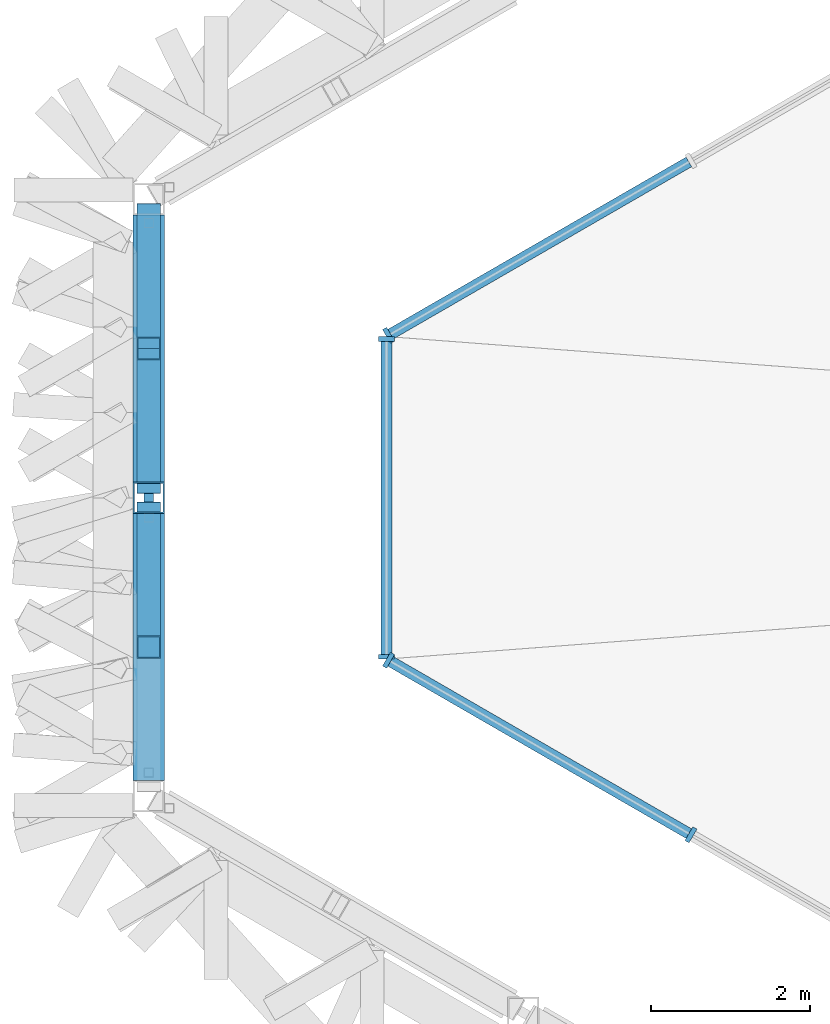
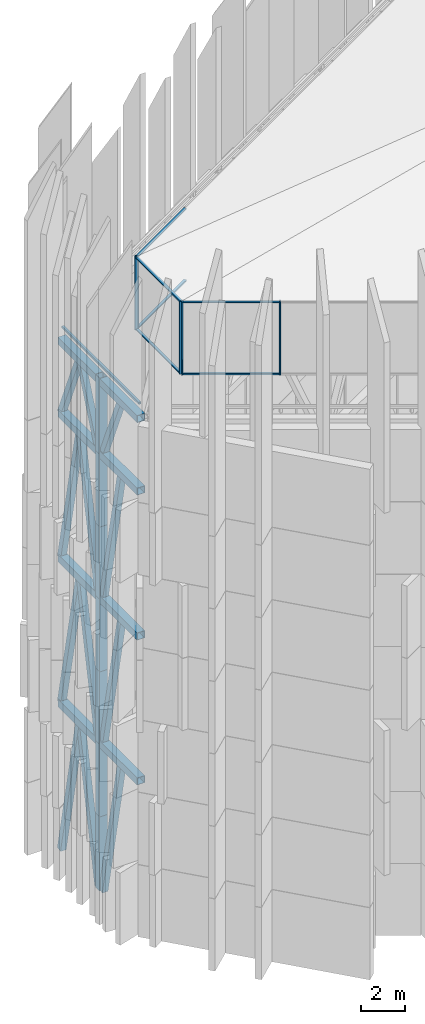
# One storey, part 4 of 45: 39 members, 3 elements without a shape of their own.
"""IFC4 building model written with IfcOpenShell, lengths in metres."""

from ifc_helpers import new_model, si_unit, direction, frame, origin, origin_2d, place, context, subcontext, project, spatial, rectangle, hollow_rectangle, extrude, material, layer, layer_set, material_profile, profile_set, type_object, element, aggregate, save


model = new_model("IFC4")

# Units and contexts
model_context = context("Model", 3, precision=1e-05, world=origin(), true_north=direction((0.0, 1.0)))
body_context = subcontext(model_context, "Body", "Model", "MODEL_VIEW")
ifc_project = project(units=[si_unit("LENGTHUNIT", "METRE"), si_unit("AREAUNIT", "SQUARE_METRE"), si_unit("VOLUMEUNIT", "CUBIC_METRE"), si_unit("PLANEANGLEUNIT", "RADIAN"), si_unit("MASSUNIT", "GRAM", prefix="KILO")], contexts=[model_context])

# Site, building, storey
site_placement = place(None, origin())
site = spatial("IfcSite", under=ifc_project, at=site_placement, CompositionType="ELEMENT")
building_placement = place(site_placement, origin())
building = spatial("IfcBuilding", under=site, at=building_placement, Name="Jabali Bay Hotel Tower and Convention Centre", CompositionType="ELEMENT")
storey_placement = place(building_placement, frame((0.0, 0.0, 322.39990234375)))
storey = spatial("IfcBuildingStorey", under=building, at=storey_placement, Name="Crown", CompositionType="ELEMENT", Elevation=322.39990234375)

# Member
ifc_material_1 = material(Name="Steel Q355B", Category="steel")
ifc_material_profile_1 = material_profile(ifc_material_1, hollow_rectangle(XDim=0.1201171875, YDim=0.1201171875, WallThickness=0.008056640625, at=origin_2d()), Name="BMU rail")
ifc_profile_set_1 = profile_set([ifc_material_profile_1], Name="Steel Q355B")
member_type_1 = type_object("IfcMemberType", Name="BMU rail", PredefinedType="USERDEFINED", material=ifc_profile_set_1)
member_1_placement = place(storey_placement, frame((45.225830078125, 83.46630859375, 28.66015625), z_axis=(0.0, -1.0, 0.0), x_axis=(1.0, 0.0, 0.0)))
element("IfcMember", 1, at=member_1_placement, inside=storey, type_object=member_type_1, Name="BMU rail 4", ObjectType="BMU RAIL", PredefinedType="USERDEFINED", context=body_context, shape_type="SweptSolid", body=[
    extrude(hollow_rectangle(XDim=0.1201171875, YDim=0.1201171875, WallThickness=0.008056640625, at=origin_2d()), origin(), (0.0, 0.0, 1.0), 6.9326171875),
])

# Curtain wall, member
ifc_material_2 = material(Name="Aluminium and glass", Category="aluminium")
ifc_layer = layer(ifc_material_2, 0.199951171875)
ifc_layer_set = layer_set([ifc_layer], Name="Aluminium and glass")
curtain_wall_type = type_object("IfcCurtainWallType", Name="CW6 curtain wall", PredefinedType="NOTDEFINED", material=ifc_layer_set)
curtain_wall_1_placement = place(storey_placement, origin())
curtain_wall_1 = element("IfcCurtainWall", 2, at=curtain_wall_1_placement, inside=storey, type_object=curtain_wall_type, Name="CW6 lantern glazing 3", PredefinedType="NOTDEFINED")
ifc_material_3 = material(Name="Aluminium", Category="aluminium")
ifc_material_profile_2 = material_profile(ifc_material_3, rectangle(XDim=0.199951171875, YDim=0.06005859375, at=origin_2d()), Name="CW6 mullion 60 x 200")
ifc_profile_set_2 = profile_set([ifc_material_profile_2], Name="Aluminium")
member_type_2 = type_object("IfcMemberType", Name="CW6 mullion 60 x 200", PredefinedType="MULLION", material=ifc_profile_set_2)
member_2_placement = place(storey_placement, frame((48.251953125, 82.04931640625, 28.35009765625), z_axis=(0.0, 0.0, 1.0), x_axis=(0.500000005124, -0.866025400826, 0.0)))
member_2 = element("IfcMember", 3, at=member_2_placement, type_object=member_type_2, Name="CW6 mullion 11", PredefinedType="MULLION", context=body_context, shape_type="SweptSolid", body=[
    extrude(rectangle(XDim=0.199951171875, YDim=0.06005859375, at=origin_2d()), origin(), (0.0, 0.0, 1.0), 4.0),
])

# Curtain wall, members
curtain_wall_2_placement = place(storey_placement, origin())
curtain_wall_2 = element("IfcCurtainWall", 4, at=curtain_wall_2_placement, inside=storey, type_object=curtain_wall_type, Name="CW6 lantern glazing 4", PredefinedType="NOTDEFINED")
member_3_placement = place(storey_placement, frame((48.225830078125, 82.004150390625, 28.35009765625), z_axis=(0.0, 0.0, 1.0), x_axis=(1.0, 0.0, 0.0)))
member_3 = element("IfcMember", 5, at=member_3_placement, type_object=member_type_2, Name="CW6 mullion 1", PredefinedType="MULLION", context=body_context, shape_type="SweptSolid", body=[
    extrude(rectangle(XDim=0.199951171875, YDim=0.06005859375, at=origin_2d()), origin(), (0.0, 0.0, 1.0), 4.0),
])
member_4_placement = place(storey_placement, frame((48.225830078125, 77.995849609375, 28.35009765625), z_axis=(0.0, 0.0, 1.0), x_axis=(1.0, 0.0, 0.0)))
member_4 = element("IfcMember", 6, at=member_4_placement, type_object=member_type_2, Name="CW6 mullion 2", PredefinedType="MULLION", context=body_context, shape_type="SweptSolid", body=[
    extrude(rectangle(XDim=0.199951171875, YDim=0.06005859375, at=origin_2d()), origin(), (0.0, 0.0, 1.0), 4.0),
])

curtain_wall_3_placement = place(storey_placement, origin())
curtain_wall_3 = element("IfcCurtainWall", 7, at=curtain_wall_3_placement, inside=storey, type_object=curtain_wall_type, Name="CW6 lantern glazing 5", PredefinedType="NOTDEFINED")
member_5_placement = place(storey_placement, frame((48.251953125, 77.95068359375, 28.35009765625), z_axis=(0.0, 0.0, 1.0), x_axis=(0.500000005124, 0.866025400826, 0.0)))
member_5 = element("IfcMember", 8, at=member_5_placement, type_object=member_type_2, Name="CW6 mullion 1", PredefinedType="MULLION", context=body_context, shape_type="SweptSolid", body=[
    extrude(rectangle(XDim=0.199951171875, YDim=0.06005859375, at=origin_2d()), origin(), (0.0, 0.0, 1.0), 4.0),
])
member_6_placement = place(storey_placement, frame((52.06591796875, 75.748779296875, 28.35009765625), z_axis=(0.0, 0.0, 1.0), x_axis=(0.500000005124, 0.866025400826, 0.0)))
member_6 = element("IfcMember", 9, at=member_6_placement, type_object=member_type_2, Name="CW6 mullion 2", PredefinedType="MULLION", context=body_context, shape_type="SweptSolid", body=[
    extrude(rectangle(XDim=0.199951171875, YDim=0.06005859375, at=origin_2d()), origin(), (0.0, 0.0, 1.0), 4.0),
])

# Member
ifc_material_profile_3 = material_profile(ifc_material_3, rectangle(XDim=0.139892578125, YDim=0.06005859375, at=origin_2d()), Name="CW6 transom 60 x 140")
ifc_profile_set_3 = profile_set([ifc_material_profile_3], Name="Aluminium")
member_type_3 = type_object("IfcMemberType", Name="CW6 transom 60 x 140", PredefinedType="USERDEFINED", material=ifc_profile_set_3)
member_7_placement = place(storey_placement, frame((52.039794921875, 84.236328125, 28.380126953125), z_axis=(-0.866010565688, -0.500025699456, 0.0), x_axis=(0.500025699456, -0.866010565688, 0.0)))
member_7 = element("IfcMember", 10, at=member_7_placement, type_object=member_type_3, Name="CW6 transom 10.1", ObjectType="TRANSOM", PredefinedType="USERDEFINED", context=body_context, shape_type="SweptSolid", body=[
    extrude(rectangle(XDim=0.139892578125, YDim=0.06005859375, at=origin_2d()), origin(), (0.0, 0.0, 1.0), 4.343994140625),
])

member_8_placement = place(storey_placement, frame((52.039794921875, 84.236328125, 32.320068359375), z_axis=(-0.866010565688, -0.500025699456, 0.0), x_axis=(0.500025699456, -0.866010565688, 0.0)))
member_8 = element("IfcMember", 11, at=member_8_placement, type_object=member_type_3, Name="CW6 transom 10.2", ObjectType="TRANSOM", PredefinedType="USERDEFINED", context=body_context, shape_type="SweptSolid", body=[
    extrude(rectangle(XDim=0.139892578125, YDim=0.06005859375, at=origin_2d()), origin(), (0.0, 0.0, 1.0), 4.343994140625),
])

aggregate(curtain_wall_1, [member_2, member_7, member_8])

member_9_placement = place(storey_placement, frame((48.225830078125, 81.974365234375, 28.380126953125), z_axis=(0.0, -1.0, 0.0), x_axis=(1.0, 0.0, 0.0)))
member_9 = element("IfcMember", 12, at=member_9_placement, type_object=member_type_3, Name="CW6 transom 1.1", ObjectType="TRANSOM", PredefinedType="USERDEFINED", context=body_context, shape_type="SweptSolid", body=[
    extrude(rectangle(XDim=0.139892578125, YDim=0.06005859375, at=origin_2d()), origin(), (0.0, 0.0, 1.0), 3.94873046875),
])

member_10_placement = place(storey_placement, frame((48.225830078125, 81.974365234375, 32.320068359375), z_axis=(0.0, -1.0, 0.0), x_axis=(1.0, 0.0, 0.0)))
member_10 = element("IfcMember", 13, at=member_10_placement, type_object=member_type_3, Name="CW6 transom 1.2", ObjectType="TRANSOM", PredefinedType="USERDEFINED", context=body_context, shape_type="SweptSolid", body=[
    extrude(rectangle(XDim=0.139892578125, YDim=0.06005859375, at=origin_2d()), origin(), (0.0, 0.0, 1.0), 3.94873046875),
])

aggregate(curtain_wall_2, [member_3, member_4, member_9, member_10])

member_11_placement = place(storey_placement, frame((48.27783203125, 77.935791015625, 28.380126953125), z_axis=(0.866010565688, -0.500025699456, 0.0), x_axis=(0.500025699456, 0.866010565688, 0.0)))
member_11 = element("IfcMember", 14, at=member_11_placement, type_object=member_type_3, Name="CW6 transom 1.1", ObjectType="TRANSOM", PredefinedType="USERDEFINED", context=body_context, shape_type="SweptSolid", body=[
    extrude(rectangle(XDim=0.139892578125, YDim=0.06005859375, at=origin_2d()), origin(), (0.0, 0.0, 1.0), 4.343994140625),
])

member_12_placement = place(storey_placement, frame((48.27783203125, 77.935791015625, 32.320068359375), z_axis=(0.866010565688, -0.500025699456, 0.0), x_axis=(0.500025699456, 0.866010565688, 0.0)))
member_12 = element("IfcMember", 15, at=member_12_placement, type_object=member_type_3, Name="CW6 transom 1.2", ObjectType="TRANSOM", PredefinedType="USERDEFINED", context=body_context, shape_type="SweptSolid", body=[
    extrude(rectangle(XDim=0.139892578125, YDim=0.06005859375, at=origin_2d()), origin(), (0.0, 0.0, 1.0), 4.343994140625),
])

aggregate(curtain_wall_3, [member_5, member_6, member_11, member_12])

# Members
ifc_material_4 = material(Name="Steel Q420GJC", Category="steel")
ifc_material_profile_4 = material_profile(ifc_material_4, hollow_rectangle(XDim=0.300048828125, YDim=0.300048828125, WallThickness=0.01611328125, at=origin_2d()), Name="Crown frame brace 300x300x16")
ifc_profile_set_4 = profile_set([ifc_material_profile_4], Name="Steel Q420GJC")
member_type_4 = type_object("IfcMemberType", Name="Crown frame brace 300x300x16", PredefinedType="USERDEFINED", material=ifc_profile_set_4)
for number, where, z_axis, x_axis, name in (
    (16, (45.225830078125, 83.56640625, -0.099853515625), (0.0, -0.204167092967, 0.978936054168), (1.0, 0.0, 0.0), "Crown brace 1 V3-M0l"),
    (17, (45.225830078125, 80.199951171875, -0.099853515625), (0.0, 0.204138716125, 0.978941972018), (-1.0, 0.0, 0.0), "Crown brace 1 V3-M0r"),
    (18, (45.225830078125, 79.800048828125, -0.099853515625), (0.0, -0.204138716125, 0.978941972018), (1.0, 0.0, 0.0), "Crown brace 1 M0-V4l"),
):
    element("IfcMember", number, at=place(storey_placement, frame(where, z_axis=z_axis, x_axis=x_axis)), inside=storey, type_object=member_type_4, Name=name, ObjectType="CROWN FRAME", PredefinedType="USERDEFINED", context=body_context, shape_type="SweptSolid", body=[
        extrude(hollow_rectangle(XDim=0.300048828125, YDim=0.300048828125, WallThickness=0.01611328125, at=origin_2d()), origin(), (0.0, 0.0, 1.0), 8.244873046875),
    ])
for number, where, z_axis, x_axis, name in (
    (19, (45.225830078125, 83.56640625, 7.971435546875), (0.0, -0.20661604233, 0.9784221027), (1.0, 0.0, 0.0), "Crown brace 2 V3-M0l"),
    (20, (45.225830078125, 80.199951171875, 7.971435546875), (0.0, 0.206587355252, 0.978428160189), (-1.0, 0.0, 0.0), "Crown brace 2 V3-M0r"),
    (21, (45.225830078125, 79.800048828125, 7.971435546875), (0.0, -0.206587355252, 0.978428160189), (1.0, 0.0, 0.0), "Crown brace 2 M0-V4l"),
    (22, (45.225830078125, 83.56640625, 15.94287109375), (0.0, -0.20661604233, 0.9784221027), (1.0, 0.0, 0.0), "Crown brace 3 V3-M0l"),
    (23, (45.225830078125, 80.199951171875, 15.94287109375), (0.0, 0.206587355252, 0.978428160189), (-1.0, 0.0, 0.0), "Crown brace 3 V3-M0r"),
    (24, (45.225830078125, 79.800048828125, 15.94287109375), (0.0, -0.206587355252, 0.978428160189), (1.0, 0.0, 0.0), "Crown brace 3 M0-V4l"),
):
    element("IfcMember", number, at=place(storey_placement, frame(where, z_axis=z_axis, x_axis=x_axis)), inside=storey, type_object=member_type_4, Name=name, ObjectType="CROWN FRAME", PredefinedType="USERDEFINED", context=body_context, shape_type="SweptSolid", body=[
        extrude(hollow_rectangle(XDim=0.300048828125, YDim=0.300048828125, WallThickness=0.01611328125, at=origin_2d()), origin(), (0.0, 0.0, 1.0), 8.147216796875),
    ])
for number, where, z_axis, x_axis, name in (
    (25, (45.225830078125, 83.56640625, 23.914306640625), (0.0, -0.389058235371, 0.921213161809), (1.0, 0.0, 0.0), "Crown brace 4 V3-M0l"),
    (26, (45.225830078125, 80.199951171875, 23.914306640625), (0.0, 0.389010348671, 0.921233384451), (-1.0, 0.0, 0.0), "Crown brace 4 V3-M0r"),
    (27, (45.225830078125, 79.800048828125, 23.914306640625), (0.0, -0.389010348671, 0.921233384451), (1.0, 0.0, 0.0), "Crown brace 4 M0-V4l"),
):
    element("IfcMember", number, at=place(storey_placement, frame(where, z_axis=z_axis, x_axis=x_axis)), inside=storey, type_object=member_type_4, Name=name, ObjectType="CROWN FRAME", PredefinedType="USERDEFINED", context=body_context, shape_type="SweptSolid", body=[
        extrude(hollow_rectangle(XDim=0.300048828125, YDim=0.300048828125, WallThickness=0.01611328125, at=origin_2d()), origin(), (0.0, 0.0, 1.0), 4.32666015625),
    ])
ifc_material_profile_5 = material_profile(ifc_material_4, hollow_rectangle(XDim=0.39990234375, YDim=0.39990234375, WallThickness=0.02001953125, at=origin_2d()), Name="Crown frame member 400x400x20")
ifc_profile_set_5 = profile_set([ifc_material_profile_5], Name="Steel Q420GJC")
member_type_5 = type_object("IfcMemberType", Name="Crown frame member 400x400x20", PredefinedType="USERDEFINED", material=ifc_profile_set_5)
member_13_placement = place(storey_placement, frame((45.225830078125, 80.0, -0.099853515625), z_axis=(0.0, 0.0, 1.0), x_axis=(1.0, 0.0, 0.0)))
element("IfcMember", 28, at=member_13_placement, inside=storey, type_object=member_type_5, Name="Crown post M0 1", ObjectType="CROWN FRAME", PredefinedType="USERDEFINED", context=body_context, shape_type="SweptSolid", body=[
    extrude(hollow_rectangle(XDim=0.39990234375, YDim=0.39990234375, WallThickness=0.02001953125, at=origin_2d()), origin(), (0.0, 0.0, 1.0), 4.085693359375),
])
member_14_placement = place(storey_placement, frame((45.225830078125, 80.0, 3.98583984375), z_axis=(0.0, 0.0, 1.0), x_axis=(1.0, 0.0, 0.0)))
element("IfcMember", 29, at=member_14_placement, inside=storey, type_object=member_type_5, Name="Crown post M0 2", ObjectType="CROWN FRAME", PredefinedType="USERDEFINED", context=body_context, shape_type="SweptSolid", body=[
    extrude(hollow_rectangle(XDim=0.39990234375, YDim=0.39990234375, WallThickness=0.02001953125, at=origin_2d()), origin(), (0.0, 0.0, 1.0), 3.985595703125),
])
member_15_placement = place(storey_placement, frame((45.225830078125, 80.0, 7.971435546875), z_axis=(0.0, 0.0, 1.0), x_axis=(1.0, 0.0, 0.0)))
element("IfcMember", 30, at=member_15_placement, inside=storey, type_object=member_type_5, Name="Crown post M0 3", ObjectType="CROWN FRAME", PredefinedType="USERDEFINED", context=body_context, shape_type="SweptSolid", body=[
    extrude(hollow_rectangle(XDim=0.39990234375, YDim=0.39990234375, WallThickness=0.02001953125, at=origin_2d()), origin(), (0.0, 0.0, 1.0), 3.98583984375),
])
member_16_placement = place(storey_placement, frame((45.225830078125, 80.0, 11.957275390625), z_axis=(0.0, 0.0, 1.0), x_axis=(1.0, 0.0, 0.0)))
element("IfcMember", 31, at=member_16_placement, inside=storey, type_object=member_type_5, Name="Crown post M0 4", ObjectType="CROWN FRAME", PredefinedType="USERDEFINED", context=body_context, shape_type="SweptSolid", body=[
    extrude(hollow_rectangle(XDim=0.39990234375, YDim=0.39990234375, WallThickness=0.02001953125, at=origin_2d()), origin(), (0.0, 0.0, 1.0), 3.985595703125),
])
member_17_placement = place(storey_placement, frame((45.225830078125, 80.0, 15.94287109375), z_axis=(0.0, 0.0, 1.0), x_axis=(1.0, 0.0, 0.0)))
element("IfcMember", 32, at=member_17_placement, inside=storey, type_object=member_type_5, Name="Crown post M0 5", ObjectType="CROWN FRAME", PredefinedType="USERDEFINED", context=body_context, shape_type="SweptSolid", body=[
    extrude(hollow_rectangle(XDim=0.39990234375, YDim=0.39990234375, WallThickness=0.02001953125, at=origin_2d()), origin(), (0.0, 0.0, 1.0), 3.98583984375),
])
member_18_placement = place(storey_placement, frame((45.225830078125, 80.0, 19.9287109375), z_axis=(0.0, 0.0, 1.0), x_axis=(1.0, 0.0, 0.0)))
element("IfcMember", 33, at=member_18_placement, inside=storey, type_object=member_type_5, Name="Crown post M0 6", ObjectType="CROWN FRAME", PredefinedType="USERDEFINED", context=body_context, shape_type="SweptSolid", body=[
    extrude(hollow_rectangle(XDim=0.39990234375, YDim=0.39990234375, WallThickness=0.02001953125, at=origin_2d()), origin(), (0.0, 0.0, 1.0), 3.985595703125),
])
member_19_placement = place(storey_placement, frame((45.225830078125, 80.0, 23.914306640625), z_axis=(0.0, 0.0, 1.0), x_axis=(1.0, 0.0, 0.0)))
element("IfcMember", 34, at=member_19_placement, inside=storey, type_object=member_type_5, Name="Crown post M0 7", ObjectType="CROWN FRAME", PredefinedType="USERDEFINED", context=body_context, shape_type="SweptSolid", body=[
    extrude(hollow_rectangle(XDim=0.39990234375, YDim=0.39990234375, WallThickness=0.02001953125, at=origin_2d()), origin(), (0.0, 0.0, 1.0), 4.185791015625),
])
for number, where, z_axis, x_axis, name in (
    (35, (45.225830078125, 83.56640625, 7.971435546875), (0.0, -1.0, 0.0), (1.0, 0.0, 0.0), "Crown ring 330.371 V3-M0"),
    (36, (45.225830078125, 79.800048828125, 7.971435546875), (0.0, -1.0, 0.0), (1.0, 0.0, 0.0), "Crown ring 330.371 M0-V4"),
    (37, (45.225830078125, 83.56640625, 15.94287109375), (0.0, -1.0, 0.0), (1.0, 0.0, 0.0), "Crown ring 338.343 V3-M0"),
    (38, (45.225830078125, 79.800048828125, 15.94287109375), (0.0, -1.0, 0.0), (1.0, 0.0, 0.0), "Crown ring 338.343 M0-V4"),
    (39, (45.225830078125, 83.56640625, 23.914306640625), (0.0, -1.0, 0.0), (1.0, 0.0, 0.0), "Crown ring 346.314 V3-M0"),
    (40, (45.225830078125, 79.800048828125, 23.914306640625), (0.0, -1.0, 0.0), (1.0, 0.0, 0.0), "Crown ring 346.314 M0-V4"),
    (41, (45.225830078125, 83.56640625, 27.900146484375), (0.0, -1.0, 0.0), (1.0, 0.0, 0.0), "Crown ring 350.3 V3-M0"),
    (42, (45.225830078125, 79.800048828125, 27.900146484375), (0.0, -1.0, 0.0), (1.0, 0.0, 0.0), "Crown ring 350.3 M0-V4"),
):
    element("IfcMember", number, at=place(storey_placement, frame(where, z_axis=z_axis, x_axis=x_axis)), inside=storey, type_object=member_type_5, Name=name, ObjectType="CROWN FRAME", PredefinedType="USERDEFINED", context=body_context, shape_type="SweptSolid", body=[
        extrude(hollow_rectangle(XDim=0.39990234375, YDim=0.39990234375, WallThickness=0.02001953125, at=origin_2d()), origin(), (0.0, 0.0, 1.0), 3.366455078125),
    ])

save(model, "model.ifc")
